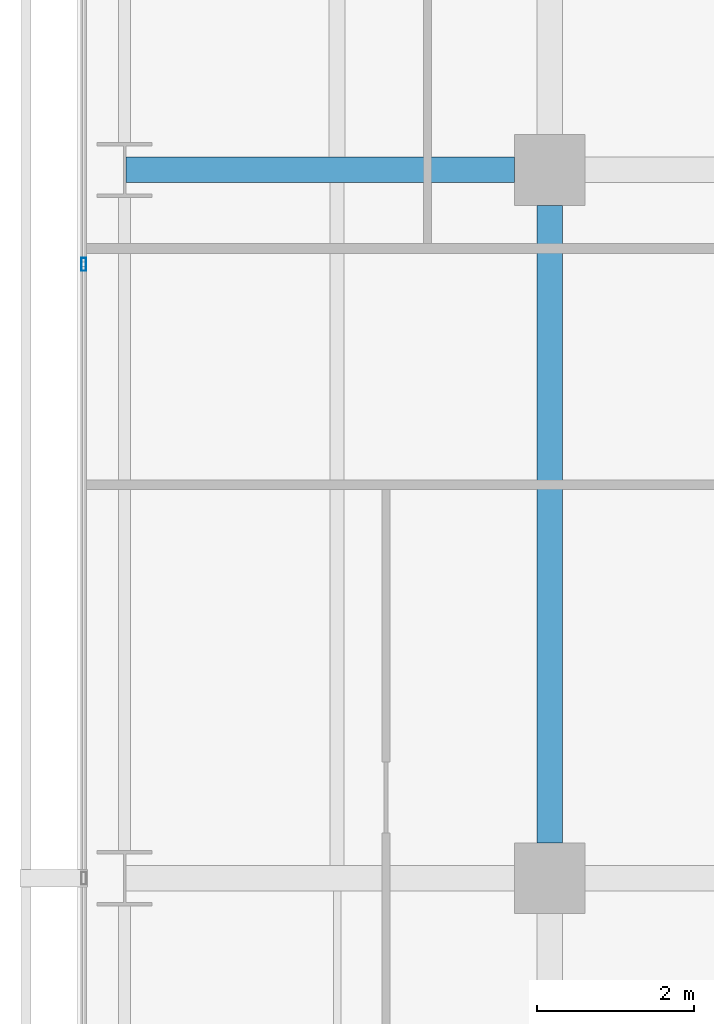
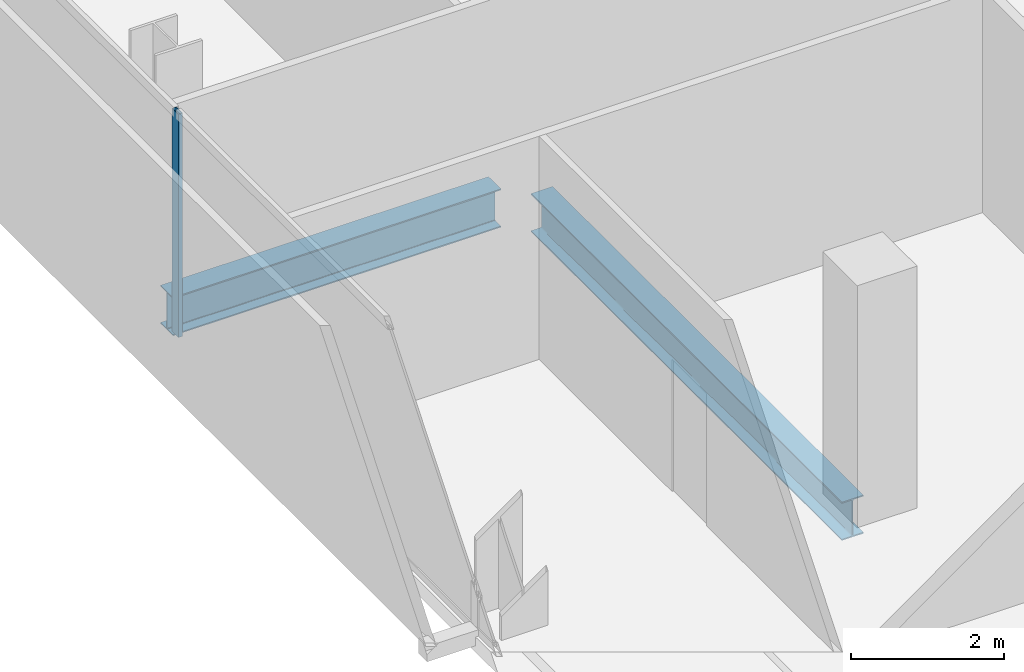
# One storey, part 21 of 39: 2 beams, 1 member, 1 element without a shape of its own.
"""IFC4 building model written with IfcOpenShell, lengths in metres."""

from ifc_helpers import new_model, si_unit, direction, frame, origin, origin_2d, place, context, subcontext, project, spatial, hollow_rectangle, i_section, extrude, material, layer, layer_set, material_profile, profile_set, type_object, element, aggregate, save


model = new_model("IFC4")

# Units and contexts
model_context = context("Model", 3, precision=1e-05, world=origin(), true_north=direction((0.0, 1.0)))
body_context = subcontext(model_context, "Body", "Model", "MODEL_VIEW")
ifc_project = project(units=[si_unit("LENGTHUNIT", "METRE"), si_unit("AREAUNIT", "SQUARE_METRE"), si_unit("VOLUMEUNIT", "CUBIC_METRE"), si_unit("PLANEANGLEUNIT", "RADIAN"), si_unit("MASSUNIT", "GRAM", prefix="KILO")], contexts=[model_context])

# Site, building, storey
site_placement = place(None, origin())
site = spatial("IfcSite", under=ifc_project, at=site_placement, CompositionType="ELEMENT")
building_placement = place(site_placement, origin())
building = spatial("IfcBuilding", under=site, at=building_placement, Name="Maruvema Waterfront Hotel and Observation Tower", CompositionType="ELEMENT")
storey_placement = place(building_placement, frame((0.0, 0.0, 111.64990234375)))
storey = spatial("IfcBuildingStorey", under=building, at=storey_placement, Name="L27", CompositionType="ELEMENT", Elevation=111.64990234375)

# Curtain wall, member
ifc_material_1 = material(Name="Anodised bronze aluminium and solar-control low-E IGU", Category="aluminium")
ifc_layer = layer(ifc_material_1, 0.159912109375, Name="Zone 1 Bronze Inner Thermal Curtain Wall System CW-02")
ifc_layer_set = layer_set([ifc_layer], Name="Anodised bronze aluminium and solar-control low-E IGU")
curtain_wall_type = type_object("IfcCurtainWallType", Name="Zone 1 Bronze Inner Thermal Curtain Wall System CW-02", PredefinedType="USERDEFINED", material=ifc_layer_set)
curtain_wall_placement = place(storey_placement, origin())
curtain_wall = element("IfcCurtainWall", 1, at=curtain_wall_placement, inside=storey, type_object=curtain_wall_type, Name="L27 Curtain Wall CW-L27-W", ObjectType="UNITISED CURTAIN WALL", PredefinedType="USERDEFINED")
ifc_material_2 = material(Name="Anodised architectural bronze aluminium", Category="aluminium")
ifc_material_profile_1 = material_profile(ifc_material_2, hollow_rectangle(XDim=0.06494140625, YDim=0.1650390625, WallThickness=0.00390625, at=origin_2d()), Name="ALU-M65x165")
ifc_profile_set_1 = profile_set([ifc_material_profile_1], Name="Anodised architectural bronze aluminium")
member_type = type_object("IfcMemberType", Name="Curtain Wall Primary Mullion ALU-M65x165", PredefinedType="MULLION", material=ifc_profile_set_1)
member_placement = place(storey_placement, frame((10.8798828125, 34.800048828125, 0.0), z_axis=(0.0, 0.0, 1.0), x_axis=(1.0, 0.0, 0.0)))
member = element("IfcMember", 2, at=member_placement, type_object=member_type, Name="CW-02 mullion 3", PredefinedType="MULLION", context=body_context, shape_type="SweptSolid", body=[
    extrude(hollow_rectangle(XDim=0.06494140625, YDim=0.1650390625, WallThickness=0.00390625, at=origin_2d()), origin(), (0.0, 0.0, 1.0), 3.550048828125),
])
aggregate(curtain_wall, [member])

# Beams
ifc_material_3 = material(Name="Steel ASTM A572 Grade 50", Category="steel")
ifc_material_profile_2 = material_profile(ifc_material_3, i_section(OverallWidth=0.323974609375, OverallDepth=0.611083984375, WebThickness=0.0126953125, FlangeThickness=0.01904296875, FilletRadius=0.01806640625, at=origin_2d()), Name="W610x155.0")
ifc_profile_set_2 = profile_set([ifc_material_profile_2], Name="Steel ASTM A572 Grade 50")
beam_type = type_object("IfcBeamType", Name="Primary Floor Girder W610x155.0", PredefinedType="BEAM", material=ifc_profile_set_2)
beam_1_placement = place(storey_placement, frame((11.4140625, 36.0, -0.54541015625), z_axis=(1.0, 0.0, 0.0), x_axis=(0.0, 1.0, 0.0)))
element("IfcBeam", 3, at=beam_1_placement, inside=storey, type_object=beam_type, Name="L27 Floor Girder EW-25", PredefinedType="BEAM", context=body_context, shape_type="SweptSolid", body=[
    extrude(i_section(OverallWidth=0.323974609375, OverallDepth=0.611083984375, WebThickness=0.0126953125, FlangeThickness=0.01904296875, FilletRadius=0.01806640625, at=origin_2d()), origin(), (0.0, 0.0, 1.0), 4.93603515625),
])
beam_2_placement = place(storey_placement, frame((16.800048828125, 27.449951171875, -0.54541015625), z_axis=(0.0, 1.0, 0.0), x_axis=(-1.0, 0.0, 0.0)))
element("IfcBeam", 4, at=beam_2_placement, inside=storey, type_object=beam_type, Name="L27 Floor Girder NS-08", PredefinedType="BEAM", context=body_context, shape_type="SweptSolid", body=[
    extrude(i_section(OverallWidth=0.323974609375, OverallDepth=0.611083984375, WebThickness=0.0126953125, FlangeThickness=0.01904296875, FilletRadius=0.01806640625, at=origin_2d()), origin(), (0.0, 0.0, 1.0), 8.10009765625),
])

save(model, "model.ifc")
